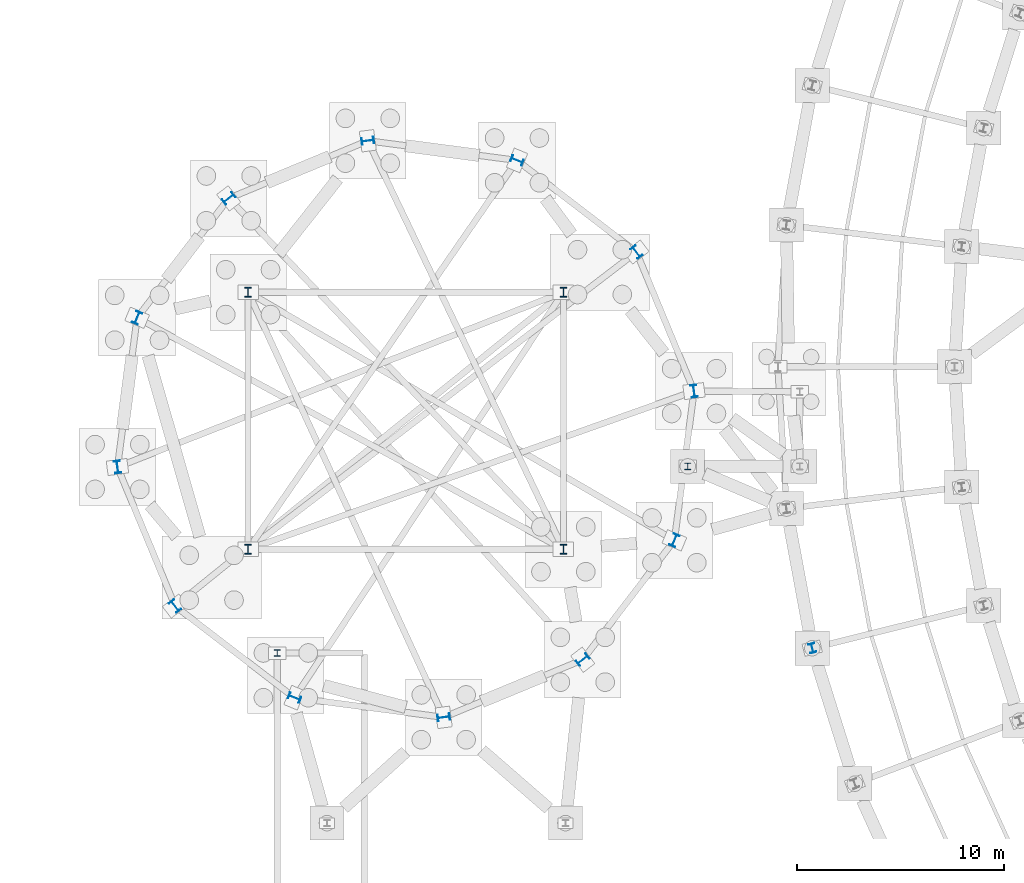
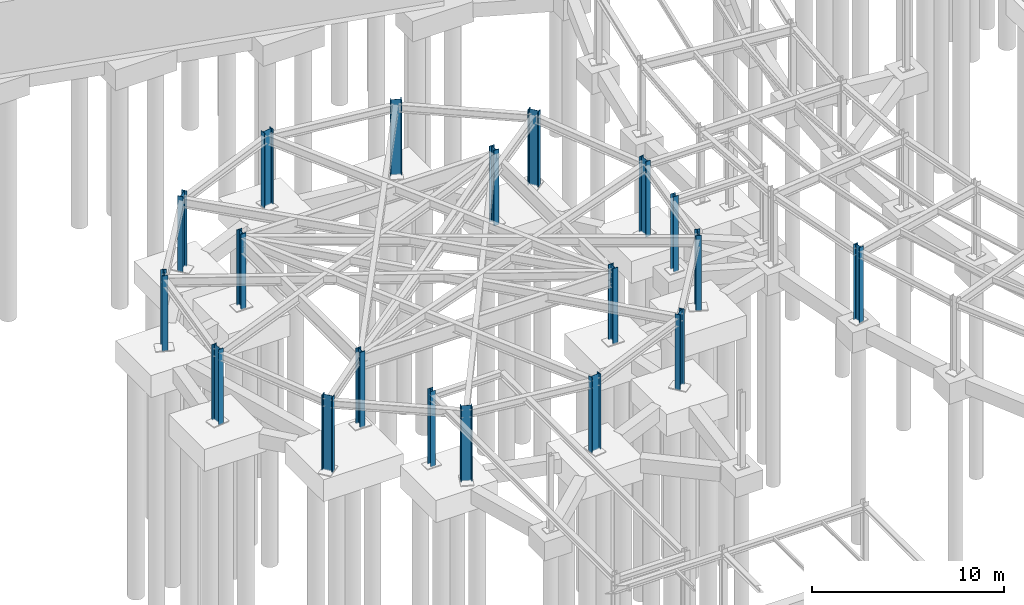
# One storey, part 12 of 50: 19 columns.
"""IFC4 building model written with IfcOpenShell, lengths in metres."""

from ifc_helpers import new_model, si_unit, direction, frame, origin, origin_2d, place, context, subcontext, project, spatial, i_section, extrude, material, material_profile, profile_set, type_object, element, save


model = new_model("IFC4")

# Units and contexts
model_context = context("Model", 3, precision=1e-05, world=origin(), true_north=direction((0.0, 1.0)))
body_context = subcontext(model_context, "Body", "Model", "MODEL_VIEW")
ifc_project = project(units=[si_unit("LENGTHUNIT", "METRE"), si_unit("AREAUNIT", "SQUARE_METRE"), si_unit("VOLUMEUNIT", "CUBIC_METRE"), si_unit("PLANEANGLEUNIT", "RADIAN"), si_unit("MASSUNIT", "GRAM", prefix="KILO")], contexts=[model_context])

# Site, building, storey
site_placement = place(None, origin())
site = spatial("IfcSite", under=ifc_project, at=site_placement, CompositionType="ELEMENT")
building_placement = place(site_placement, origin())
building = spatial("IfcBuilding", under=site, at=building_placement, Name="Varnklinge Art Gallery", CompositionType="ELEMENT")
storey_placement = place(building_placement, frame((0.0, 0.0, -4.800048828125)))
storey = spatial("IfcBuildingStorey", under=building, at=storey_placement, Name="B01", CompositionType="ELEMENT", Elevation=-4.800048828125)

# Columns
ifc_material_1 = material(Name="Steel S355", Category="steel")
ifc_material_profile_1 = material_profile(ifc_material_1, i_section(OverallWidth=0.306884765625, OverallDepth=0.47802734375, WebThickness=0.02099609375, FlangeThickness=0.0400390625, FilletRadius=0.027099609375, at=origin_2d()), Name="HEM 450")
ifc_profile_set_1 = profile_set([ifc_material_profile_1], Name="Steel S355")
column_type_1 = type_object("IfcColumnType", Name="COL-02", PredefinedType="COLUMN", material=ifc_profile_set_1)
for number, where, z_axis, x_axis, name in (
    (1, (14.199951171875, 46.199951171875, 0.0), (0.0, 0.0, 1.0), (1.0, 0.0, 0.0), "B01 Column V3CI-1"),
    (2, (29.39990234375, 46.199951171875, 0.0), (0.0, 0.0, 1.0), (1.0, 0.0, 0.0), "B01 Column V3CI-2"),
    (3, (29.39990234375, 58.60009765625, 0.0), (0.0, 0.0, 1.0), (1.0, 0.0, 0.0), "B01 Column V3CI-3"),
    (4, (14.199951171875, 58.60009765625, 0.0), (0.0, 0.0, 1.0), (1.0, 0.0, 0.0), "B01 Column V3CI-4"),
):
    element("IfcColumn", number, at=place(storey_placement, frame(where, z_axis=z_axis, x_axis=x_axis)), inside=storey, type_object=column_type_1, Name=name, PredefinedType="COLUMN", context=body_context, shape_type="SweptSolid", body=[
        extrude(i_section(OverallWidth=0.306884765625, OverallDepth=0.47802734375, WebThickness=0.02099609375, FlangeThickness=0.0400390625, FilletRadius=0.027099609375, at=origin_2d()), origin(), (0.0, 0.0, 1.0), 4.800048828125),
    ])
ifc_material_2 = material(Name="Steel S355", Category="steel")
ifc_material_profile_2 = material_profile(ifc_material_2, i_section(OverallWidth=0.300048828125, OverallDepth=0.60009765625, WebThickness=0.015380859375, FlangeThickness=0.030029296875, FilletRadius=0.027099609375, at=origin_2d()), Name="HEB 600")
ifc_profile_set_2 = profile_set([ifc_material_profile_2], Name="Steel S355")
column_type_2 = type_object("IfcColumnType", Name="COL-04", PredefinedType="COLUMN", material=ifc_profile_set_2)
for number, where, z_axis, x_axis, name in (
    (5, (35.7001953125, 53.830078125, 0.0), (0.0, 0.0, 1.0), (0.991444861374, 0.13052619222, 0.0), "B01 Column V3CP-01"),
    (6, (32.9228515625, 60.534912109375, 0.0), (0.0, 0.0, 1.0), (0.793353340291, 0.608761429009, 0.0), "B01 Column V3CP-02"),
    (7, (27.165283203125, 64.952880859375, 0.0), (0.0, 0.0, 1.0), (0.382683432365, 0.923879532511, 0.0), "B01 Column V3CP-03"),
    (8, (19.969970703125, 65.900146484375, 0.0), (0.0, 0.0, 1.0), (-0.13052619222, 0.991444861374, 0.0), "B01 Column V3CP-04"),
    (9, (13.26513671875, 63.122802734375, 0.0), (0.0, 0.0, 1.0), (-0.608761429009, 0.793353340291, 0.0), "B01 Column V3CP-05"),
    (10, (8.84716796875, 57.365234375, 0.0), (0.0, 0.0, 1.0), (-0.923879532511, 0.382683432365, 0.0), "B01 Column V3CP-06"),
    (11, (7.89990234375, 50.169921875, 0.0), (0.0, 0.0, 1.0), (-0.991444861374, -0.13052619222, 0.0), "B01 Column V3CP-07"),
    (12, (10.67724609375, 43.465087890625, 0.0), (0.0, 0.0, 1.0), (-0.793353340291, -0.608761429009, 0.0), "B01 Column V3CP-08"),
    (13, (16.434814453125, 39.047119140625, 0.0), (0.0, 0.0, 1.0), (-0.382683432365, -0.923879532511, 0.0), "B01 Column V3CP-09"),
    (14, (23.6298828125, 38.099853515625, 0.0), (0.0, 0.0, 1.0), (0.13052619222, -0.991444861374, 0.0), "B01 Column V3CP-10"),
    (15, (30.334716796875, 40.877197265625, 0.0), (0.0, 0.0, 1.0), (0.608761429009, -0.793353340291, 0.0), "B01 Column V3CP-11"),
    (16, (34.752685546875, 46.634765625, 0.0), (0.0, 0.0, 1.0), (0.923879532511, -0.382683432365, 0.0), "B01 Column V3CP-12"),
):
    element("IfcColumn", number, at=place(storey_placement, frame(where, z_axis=z_axis, x_axis=x_axis)), inside=storey, type_object=column_type_2, Name=name, PredefinedType="COLUMN", context=body_context, shape_type="SweptSolid", body=[
        extrude(i_section(OverallWidth=0.300048828125, OverallDepth=0.60009765625, WebThickness=0.015380859375, FlangeThickness=0.030029296875, FilletRadius=0.027099609375, at=origin_2d()), origin(), (0.0, 0.0, 1.0), 4.800048828125),
    ])
ifc_material_3 = material(Name="Steel S355", Category="steel")
ifc_material_profile_3 = material_profile(ifc_material_3, i_section(OverallWidth=0.300048828125, OverallDepth=0.449951171875, WebThickness=0.013916015625, FlangeThickness=0.02587890625, FilletRadius=0.027099609375, at=origin_2d()), Name="HEB 450")
ifc_profile_set_3 = profile_set([ifc_material_profile_3], Name="Steel S355")
column_type_3 = type_object("IfcColumnType", Name="COL-06", PredefinedType="COLUMN", material=ifc_profile_set_3)
column_placement = place(storey_placement, frame((41.401611328125, 41.43408203125, 0.0), z_axis=(0.0, 0.0, 1.0), x_axis=(0.970506473469, 0.241075060833, 0.0)))
element("IfcColumn", 17, at=column_placement, inside=storey, type_object=column_type_3, Name="B01 Column V2CO-29", PredefinedType="COLUMN", context=body_context, shape_type="SweptSolid", body=[
    extrude(i_section(OverallWidth=0.300048828125, OverallDepth=0.449951171875, WebThickness=0.013916015625, FlangeThickness=0.02587890625, FilletRadius=0.027099609375, at=origin_2d()), origin(), (0.0, 0.0, 1.0), 4.800048828125),
])
ifc_material_4 = material(Name="Steel S355", Category="steel")
ifc_material_profile_4 = material_profile(ifc_material_4, i_section(OverallWidth=0.300048828125, OverallDepth=0.320068359375, WebThickness=0.011474609375, FlangeThickness=0.0205078125, FilletRadius=0.027099609375, at=origin_2d()), Name="HEB 320")
ifc_profile_set_4 = profile_set([ifc_material_profile_4], Name="Steel S355")
column_type_4 = type_object("IfcColumnType", Name="COL-09", PredefinedType="COLUMN", material=ifc_profile_set_4)
for number, where, z_axis, x_axis, name in (
    (18, (35.39990234375, 50.199951171875, 0.0), (0.0, 0.0, 1.0), (1.0, 0.0, 0.0), "B01 Column LNK-V3-C1"),
    (19, (15.60009765625, 41.199951171875, 0.0), (0.0, 0.0, 1.0), (1.0, 0.0, 0.0), "B01 Column LNK-SW-C4"),
):
    element("IfcColumn", number, at=place(storey_placement, frame(where, z_axis=z_axis, x_axis=x_axis)), inside=storey, type_object=column_type_4, Name=name, PredefinedType="COLUMN", context=body_context, shape_type="SweptSolid", body=[
        extrude(i_section(OverallWidth=0.300048828125, OverallDepth=0.320068359375, WebThickness=0.011474609375, FlangeThickness=0.0205078125, FilletRadius=0.027099609375, at=origin_2d()), origin(), (0.0, 0.0, 1.0), 4.800048828125),
    ])

save(model, "model.ifc")
